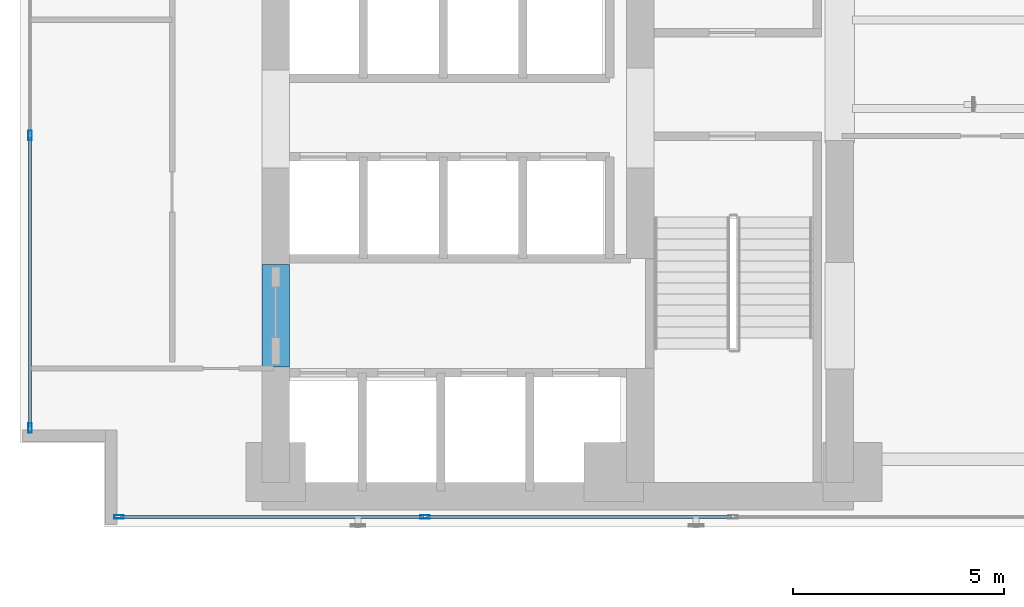
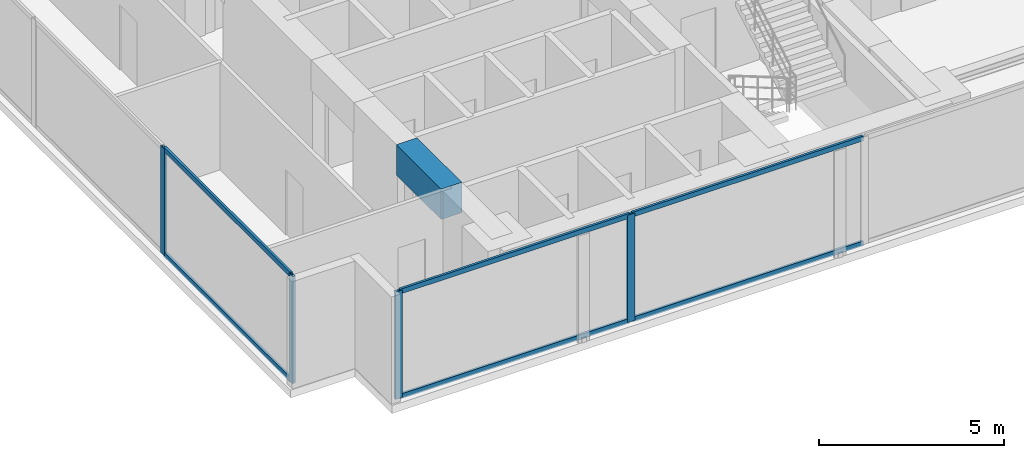
# One storey, part 2 of 24: 10 members, 1 beam, 2 elements without a shape of their own.
"""IFC4 building model written with IfcOpenShell, lengths in metres."""

from ifc_helpers import new_model, si_unit, direction, frame, origin, origin_with_axes, origin_2d, place, context, subcontext, project, spatial, rectangle, hollow_rectangle, extrude, source, transform, mapped, material, layer, layer_set, material_profile, profile_set, type_object, element, aggregate, save


model = new_model("IFC4")

# Units and contexts
model_context = context("Model", 3, precision=1e-05, world=origin(), true_north=direction((0.0, 1.0)))
body_context = subcontext(model_context, "Body", "Model", "MODEL_VIEW")
ifc_project = project(units=[si_unit("LENGTHUNIT", "METRE"), si_unit("AREAUNIT", "SQUARE_METRE"), si_unit("VOLUMEUNIT", "CUBIC_METRE"), si_unit("PLANEANGLEUNIT", "RADIAN"), si_unit("MASSUNIT", "GRAM", prefix="KILO")], contexts=[model_context])

# Site, building, storey
site_placement = place(None, origin())
site = spatial("IfcSite", under=ifc_project, at=site_placement, CompositionType="ELEMENT")
building_placement = place(site_placement, origin())
building = spatial("IfcBuilding", under=site, at=building_placement, Name="Kolvaren Waterfront Exchange", CompositionType="ELEMENT")
storey_placement = place(building_placement, frame((0.0, 0.0, 95.5)))
storey = spatial("IfcBuildingStorey", under=building, at=storey_placement, Name="L24", CompositionType="ELEMENT", Elevation=95.5)

# Beam
ifc_material_1 = material(Name="Concrete C60/75", Category="concrete")
ifc_material_profile_1 = material_profile(ifc_material_1, rectangle(XDim=0.64990234375, YDim=1.0, at=origin_2d()), Name="RC-CB-1000x650")
ifc_profile_set_1 = profile_set([ifc_material_profile_1], Name="Concrete C60/75")
beam_type = type_object("IfcBeamType", Name="STR-CB-1000", PredefinedType="SPANDREL", material=ifc_profile_set_1)
beam_placement = place(storey_placement, frame((7.449951171875, 7.389892578125, 3.0400390625), z_axis=(0.0, 1.0, 0.0), x_axis=(-1.0, 0.0, 0.0)))
element("IfcBeam", 1, at=beam_placement, inside=storey, type_object=beam_type, Name="L24 core coupling beam 3", PredefinedType="SPANDREL", context=body_context, shape_type="SweptSolid", body=[
    extrude(rectangle(XDim=0.64990234375, YDim=1.0, at=origin_2d()), origin(), (0.0, 0.0, 1.0), 2.420166015625),
])

# Curtain wall, members
ifc_material_2 = material(Name="Anodised bronze aluminium 6063-T6", Category="aluminium")
ifc_layer_1 = layer(ifc_material_2, 0.219970703125, Name="Anodised bronze aluminium 6063-T6")
ifc_layer_set_1 = layer_set([ifc_layer_1], Name="Anodised bronze aluminium 6063-T6")
curtain_wall_type_1 = type_object("IfcCurtainWallType", Name="ARC-CW-SYS1", PredefinedType="USERDEFINED", material=ifc_layer_set_1)
curtain_wall_1_placement = place(storey_placement, origin())
curtain_wall_1 = element("IfcCurtainWall", 2, at=curtain_wall_1_placement, inside=storey, type_object=curtain_wall_type_1, Name="L24 stick curtain wall CW1 (CW-L24-S)", ObjectType="STICK CURTAIN WALL", PredefinedType="USERDEFINED")
ifc_material_3 = material(Name="Anodised aluminium 6063-T6", Category="aluminium")
ifc_material_profile_2 = material_profile(ifc_material_3, hollow_rectangle(XDim=0.080078125, YDim=0.219970703125, WallThickness=0.0048828125, at=origin_2d()), Name="ALU-MUL-220x80x5")
ifc_profile_set_2 = profile_set([ifc_material_profile_2], Name="Anodised aluminium 6063-T6")
member_type_1 = type_object("IfcMemberType", Name="ARC-CWM-220", PredefinedType="MULLION", material=ifc_profile_set_2)
shared_shape_1 = source(origin_with_axes(), body_context, "Body", "SweptSolid", [
    extrude(hollow_rectangle(XDim=0.080078125, YDim=0.219970703125, WallThickness=0.0048828125, at=origin_2d()), origin(), (0.0, 0.0, 1.0), 3.5400390625),
])
member_1_placement = place(storey_placement, frame((3.739990234375, 3.840087890625, 0.0), z_axis=(0.0, 0.0, 1.0), x_axis=(0.0, 1.0, 0.0)))
member_1 = element("IfcMember", 3, at=member_1_placement, type_object=member_type_1, Name="CW1 mullion 1", PredefinedType="MULLION", context=body_context, shape_type="MappedRepresentation", body=[
    mapped(shared_shape_1, transform((0.0, 0.0, 0.0), x_axis=(1.0, 0.0, 0.0), y_axis=(0.0, 1.0, 0.0), z_axis=(0.0, 0.0, 1.0), scale=1.0)),
])
member_2_placement = place(storey_placement, frame((10.985595703125, 3.840087890625, 0.0), z_axis=(0.0, 0.0, 1.0), x_axis=(0.0, 1.0, 0.0)))
member_2 = element("IfcMember", 4, at=member_2_placement, type_object=member_type_1, Name="CW1 mullion 2", PredefinedType="MULLION", context=body_context, shape_type="MappedRepresentation", body=[
    mapped(shared_shape_1, transform((0.0, 0.0, 0.0), x_axis=(1.0, 0.0, 0.0), y_axis=(0.0, 1.0, 0.0), z_axis=(0.0, 0.0, 1.0), scale=1.0)),
])

ifc_layer_2 = layer(ifc_material_3, 0.219970703125, Name="Anodised aluminium 6063-T6")
ifc_layer_set_2 = layer_set([ifc_layer_2], Name="Anodised aluminium 6063-T6")
curtain_wall_type_2 = type_object("IfcCurtainWallType", Name="ARC-CW-SYS2", PredefinedType="USERDEFINED", material=ifc_layer_set_2)
curtain_wall_2_placement = place(storey_placement, origin())
curtain_wall_2 = element("IfcCurtainWall", 5, at=curtain_wall_2_placement, inside=storey, type_object=curtain_wall_type_2, Name="L24 stick curtain wall CW2 (CW-L24-W)", ObjectType="STICK CURTAIN WALL", PredefinedType="USERDEFINED")
member_3_placement = place(storey_placement, frame((1.639892578125, 5.93994140625, 0.0), z_axis=(0.0, 0.0, 1.0), x_axis=(-1.0, 0.0, 0.0)))
member_3 = element("IfcMember", 6, at=member_3_placement, type_object=member_type_1, Name="CW2 mullion 1", PredefinedType="MULLION", context=body_context, shape_type="MappedRepresentation", body=[
    mapped(shared_shape_1, transform((0.0, 0.0, 0.0), x_axis=(1.0, 0.0, 0.0), y_axis=(0.0, 1.0, 0.0), z_axis=(0.0, 0.0, 1.0), scale=1.0)),
])
member_4_placement = place(storey_placement, frame((1.639892578125, 12.86669921875, 0.0), z_axis=(0.0, 0.0, 1.0), x_axis=(-1.0, 0.0, 0.0)))
member_4 = element("IfcMember", 7, at=member_4_placement, type_object=member_type_1, Name="CW2 mullion 2", PredefinedType="MULLION", context=body_context, shape_type="MappedRepresentation", body=[
    mapped(shared_shape_1, transform((0.0, 0.0, 0.0), x_axis=(1.0, 0.0, 0.0), y_axis=(0.0, 1.0, 0.0), z_axis=(0.0, 0.0, 1.0), scale=1.0)),
])
ifc_material_profile_3 = material_profile(ifc_material_3, hollow_rectangle(XDim=0.074951171875, YDim=0.159912109375, WallThickness=0.00439453125, at=origin_2d()), Name="ALU-TRN-160x75x4.5")
ifc_profile_set_3 = profile_set([ifc_material_profile_3], Name="Anodised aluminium 6063-T6")
member_type_2 = type_object("IfcMemberType", Name="ARC-CWT-160", PredefinedType="USERDEFINED", material=ifc_profile_set_3)
shared_shape_2 = source(origin_with_axes(), body_context, "Body", "SweptSolid", [
    extrude(hollow_rectangle(XDim=0.074951171875, YDim=0.159912109375, WallThickness=0.00439453125, at=origin_2d()), origin(), (0.0, 0.0, 1.0), 6.8466796875),
])
member_5_placement = place(storey_placement, frame((1.639892578125, 5.97998046875, 0.03759765625), z_axis=(0.0, 1.0, 0.0), x_axis=(-1.0, 0.0, 0.0)))
member_5 = element("IfcMember", 8, at=member_5_placement, type_object=member_type_2, Name="CW2 transom 1.1", ObjectType="TRANSOM", PredefinedType="USERDEFINED", context=body_context, shape_type="MappedRepresentation", body=[
    mapped(shared_shape_2, transform((0.0, 0.0, 0.0), x_axis=(1.0, 0.0, 0.0), y_axis=(0.0, 1.0, 0.0), z_axis=(0.0, 0.0, 1.0), scale=1.0)),
])
member_6_placement = place(storey_placement, frame((1.639892578125, 5.97998046875, 3.50244140625), z_axis=(0.0, 1.0, 0.0), x_axis=(-1.0, 0.0, 0.0)))
member_6 = element("IfcMember", 9, at=member_6_placement, type_object=member_type_2, Name="CW2 transom 1.2", ObjectType="TRANSOM", PredefinedType="USERDEFINED", context=body_context, shape_type="MappedRepresentation", body=[
    mapped(shared_shape_2, transform((0.0, 0.0, 0.0), x_axis=(1.0, 0.0, 0.0), y_axis=(0.0, 1.0, 0.0), z_axis=(0.0, 0.0, 1.0), scale=1.0)),
])
aggregate(curtain_wall_2, [member_3, member_4, member_5, member_6])

# Member
shared_shape_3 = source(origin_with_axes(), body_context, "Body", "SweptSolid", [
    extrude(hollow_rectangle(XDim=0.074951171875, YDim=0.159912109375, WallThickness=0.00439453125, at=origin_2d()), origin(), (0.0, 0.0, 1.0), 7.165771484375),
])
member_7_placement = place(storey_placement, frame((3.780029296875, 3.840087890625, 0.03759765625), z_axis=(1.0, 0.0, 0.0), x_axis=(0.0, 1.0, 0.0)))
member_7 = element("IfcMember", 10, at=member_7_placement, type_object=member_type_2, Name="CW1 transom 1.1", ObjectType="TRANSOM", PredefinedType="USERDEFINED", context=body_context, shape_type="MappedRepresentation", body=[
    mapped(shared_shape_3, transform((0.0, 0.0, 0.0), x_axis=(1.0, 0.0, 0.0), y_axis=(0.0, 1.0, 0.0), z_axis=(0.0, 0.0, 1.0), scale=1.0)),
])

member_8_placement = place(storey_placement, frame((3.780029296875, 3.840087890625, 3.50244140625), z_axis=(1.0, 0.0, 0.0), x_axis=(0.0, 1.0, 0.0)))
member_8 = element("IfcMember", 11, at=member_8_placement, type_object=member_type_2, Name="CW1 transom 1.2", ObjectType="TRANSOM", PredefinedType="USERDEFINED", context=body_context, shape_type="MappedRepresentation", body=[
    mapped(shared_shape_3, transform((0.0, 0.0, 0.0), x_axis=(1.0, 0.0, 0.0), y_axis=(0.0, 1.0, 0.0), z_axis=(0.0, 0.0, 1.0), scale=1.0)),
])

shared_shape_4 = source(origin_with_axes(), body_context, "Body", "SweptSolid", [
    extrude(hollow_rectangle(XDim=0.074951171875, YDim=0.159912109375, WallThickness=0.00439453125, at=origin_2d()), origin(), (0.0, 0.0, 1.0), 7.205810546875),
])
member_9_placement = place(storey_placement, frame((11.025634765625, 3.840087890625, 0.03759765625), z_axis=(1.0, 0.0, 0.0), x_axis=(0.0, 1.0, 0.0)))
member_9 = element("IfcMember", 12, at=member_9_placement, type_object=member_type_2, Name="CW1 transom 2.1", ObjectType="TRANSOM", PredefinedType="USERDEFINED", context=body_context, shape_type="MappedRepresentation", body=[
    mapped(shared_shape_4, transform((0.0, 0.0, 0.0), x_axis=(1.0, 0.0, 0.0), y_axis=(0.0, 1.0, 0.0), z_axis=(0.0, 0.0, 1.0), scale=1.0)),
])

member_10_placement = place(storey_placement, frame((11.025634765625, 3.840087890625, 3.50244140625), z_axis=(1.0, 0.0, 0.0), x_axis=(0.0, 1.0, 0.0)))
member_10 = element("IfcMember", 13, at=member_10_placement, type_object=member_type_2, Name="CW1 transom 2.2", ObjectType="TRANSOM", PredefinedType="USERDEFINED", context=body_context, shape_type="MappedRepresentation", body=[
    mapped(shared_shape_4, transform((0.0, 0.0, 0.0), x_axis=(1.0, 0.0, 0.0), y_axis=(0.0, 1.0, 0.0), z_axis=(0.0, 0.0, 1.0), scale=1.0)),
])

aggregate(curtain_wall_1, [member_1, member_2, member_7, member_8, member_9, member_10])

save(model, "model.ifc")
